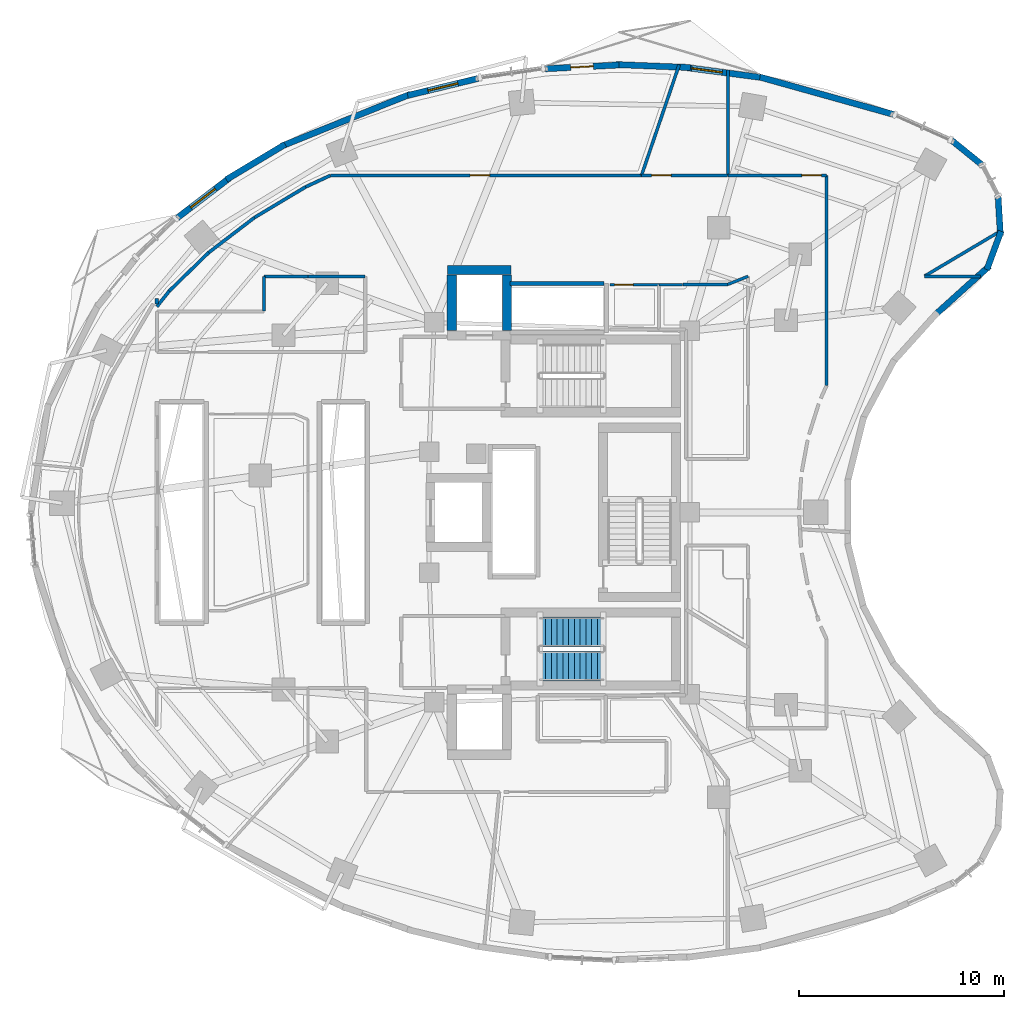
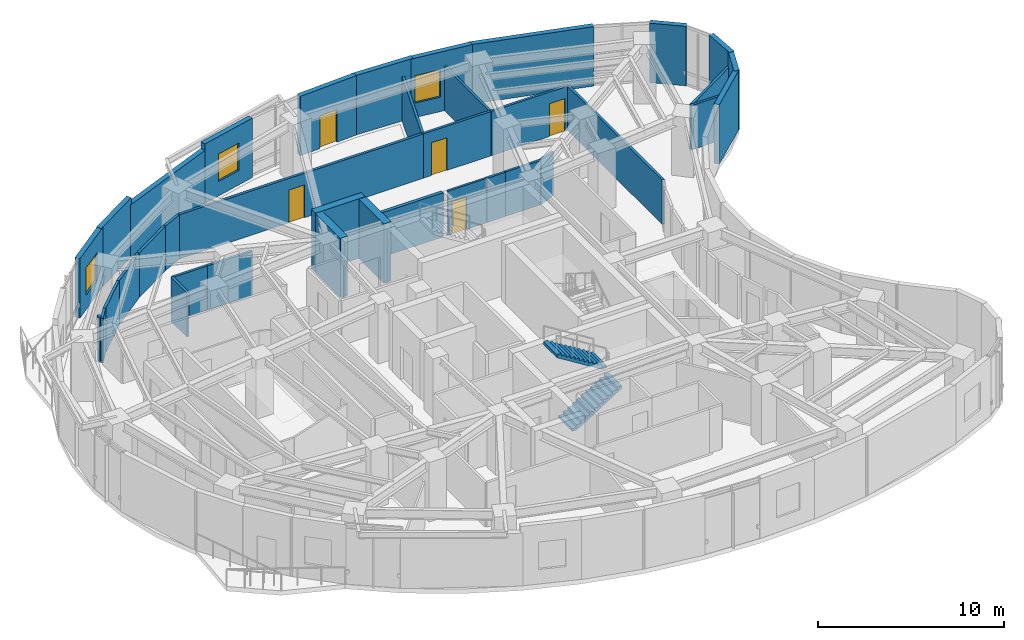
# One storey, part 11 of 15: 37 walls, 5 doors, 3 windows, 2 stair flights, 8 openings, 1 element without a shape of its own.
"""IFC4 building model written with IfcOpenShell, lengths in metres."""

import ifcopenshell
import ifcopenshell.guid

model = None  # the IFC model being written
_history = None  # IfcOwnerHistory: only IFC2X3 demands one
_inside = {}  # id of a spatial element -> (the spatial element, [elements in it])
_under = {}  # id of a project, library or spatial element -> (it, [spatial elements below it])
_declared = {}  # id of a project -> (the project, [libraries it declares])
_typed = {}  # id of a type object -> (the type object, [elements of that type])
_made_of = {}  # id of a material, layer set ... -> (it, [elements and type objects made of it])


def new_model(schema):
    """Start an empty IFC model of exactly this schema.

    Asked for "IFC4X3", IfcOpenShell would pick the latest addendum, in which some entities
    have other attributes; the version numbers below select the first issue.
    IFC2X3 requires an IfcOwnerHistory on every rooted entity: one is made here for all.
    """
    global model, _history
    if schema == "IFC4X3":
        model = ifcopenshell.file(schema_version=(4, 3, 0, 0))
    else:
        model = ifcopenshell.file(schema=schema)
    _inside.clear()
    _under.clear()
    _declared.clear()
    _typed.clear()
    _made_of.clear()
    _history = None
    if model.schema == "IFC2X3":
        org = make("IfcOrganization", Name="unknown")
        user = make(
            "IfcPersonAndOrganization",
            ThePerson=make("IfcPerson", FamilyName="unknown"),
            TheOrganization=org,
        )
        app = make(
            "IfcApplication",
            ApplicationDeveloper=org,
            Version="unknown",
            ApplicationFullName="unknown",
            ApplicationIdentifier="unknown",
        )
        _history = make(
            "IfcOwnerHistory",
            OwningUser=user,
            OwningApplication=app,
            ChangeAction="ADDED",
            CreationDate=0,
        )
    return model


def make(cls, **values):
    """One entity of the class cls with the attributes given. An attribute that is None is left unset."""
    return model.create_entity(
        cls, **{name: value for name, value in values.items() if value is not None}
    )


def rooted(cls, **values):
    """An entity with a GlobalId (a new one), such as an element, a storey or a relation."""
    return make(cls, GlobalId=ifcopenshell.guid.new(), OwnerHistory=_history, **values)


def si_unit(unit_type, name, prefix=None):
    """IfcSIUnit, for example si_unit("LENGTHUNIT", "METRE", prefix="MILLI")."""
    return make("IfcSIUnit", UnitType=unit_type, Prefix=prefix, Name=name)


def assignment(units):
    """IfcUnitAssignment: the units of a project."""
    return None if units is None else make("IfcUnitAssignment", Units=units)


def point(xyz):
    """IfcCartesianPoint."""
    return None if xyz is None else make("IfcCartesianPoint", Coordinates=xyz)


def direction(xyz):
    """IfcDirection."""
    return None if xyz is None else make("IfcDirection", DirectionRatios=xyz)


def frame(location, z_axis=None, x_axis=None):
    """IfcAxis2Placement3D, a coordinate frame: its origin and axes. An axis left out is left unset."""
    return make(
        "IfcAxis2Placement3D",
        Location=point(location),
        Axis=direction(z_axis),
        RefDirection=direction(x_axis),
    )


def frame_2d(location, x_axis=None):
    """IfcAxis2Placement2D, a coordinate frame in the plane: its origin and x axis."""
    return make(
        "IfcAxis2Placement2D", Location=point(location), RefDirection=direction(x_axis)
    )


def origin():
    """The frame at (0, 0, 0) with its axes left unset."""
    return frame((0.0, 0.0, 0.0))


def place(relative_to, where):
    """IfcLocalPlacement: puts the frame where relative to a parent placement (None: the world)."""
    return make(
        "IfcLocalPlacement", PlacementRelTo=relative_to, RelativePlacement=where
    )


def context(
    kind, dimensions, precision=None, world=None, true_north=None, identifier=None
):
    """IfcGeometricRepresentationContext, for example the 3D "Model" context."""
    return make(
        "IfcGeometricRepresentationContext",
        ContextIdentifier=identifier,
        ContextType=kind,
        CoordinateSpaceDimension=dimensions,
        Precision=precision,
        WorldCoordinateSystem=world,
        TrueNorth=true_north,
    )


def subcontext(parent, identifier, kind, view, scale=None):
    """IfcGeometricRepresentationSubContext, for example "Body" below "Model"."""
    return make(
        "IfcGeometricRepresentationSubContext",
        ContextIdentifier=identifier,
        ContextType=kind,
        ParentContext=parent,
        TargetScale=scale,
        TargetView=view,
    )


def project(units=None, contexts=None):
    """IfcProject with its units and contexts."""
    return rooted(
        "IfcProject",
        Name="project",
        RepresentationContexts=contexts,
        UnitsInContext=assignment(units),
    )


def spatial(cls, under=None, at=None, **own):
    """A site, building, storey or space (cls), placed at a placement, below another one or the project."""
    s = rooted(cls, ObjectPlacement=at, **own)
    if under is not None:
        _under.setdefault(under.id(), (under, []))[1].append(s)
    return s


def polyline(points):
    """IfcPolyline through the points."""
    return make("IfcPolyline", Points=[point(p) for p in points])


def profile(cls, at=None, kind="AREA", **sizes):
    """A parametric profile (cls). Its sizes go by their IFC names, for example OverallWidth=200.0."""
    return make(cls, ProfileType=kind, Position=at, **sizes)


def rectangle(**sizes):
    """IfcRectangleProfileDef."""
    return profile("IfcRectangleProfileDef", **sizes)


def outline(outer, holes=None, kind="AREA"):
    """IfcArbitraryClosedProfileDef: a profile drawn as a closed curve; with holes, ...WithVoids."""
    if holes is None:
        return make("IfcArbitraryClosedProfileDef", ProfileType=kind, OuterCurve=outer)
    return make(
        "IfcArbitraryProfileDefWithVoids",
        ProfileType=kind,
        OuterCurve=outer,
        InnerCurves=holes,
    )


def extrude(swept, where, along, depth):
    """IfcExtrudedAreaSolid: the profile swept, set in the frame where, extruded along a direction by depth."""
    return make(
        "IfcExtrudedAreaSolid",
        SweptArea=swept,
        Position=where,
        ExtrudedDirection=direction(along),
        Depth=depth,
    )


def shape(context_of_items, identifier, shape_type, items):
    """IfcShapeRepresentation: the items that make up one representation, for example the "Body"."""
    return make(
        "IfcShapeRepresentation",
        ContextOfItems=context_of_items,
        RepresentationIdentifier=identifier,
        RepresentationType=shape_type,
        Items=items,
    )


def material(Name=None, Category=None):
    """IfcMaterial."""
    return make("IfcMaterial", Name=Name, Category=Category)


def layer(
    of_material, thickness, ventilated=None, Name=None, Category=None, Priority=None
):
    """IfcMaterialLayer: one layer of a wall or slab, of a material (None: an air gap)."""
    return make(
        "IfcMaterialLayer",
        Material=of_material,
        LayerThickness=thickness,
        IsVentilated=ventilated,
        Name=Name,
        Category=Category,
        Priority=Priority,
    )


def layer_set(layers, Name=None):
    """IfcMaterialLayerSet."""
    return make("IfcMaterialLayerSet", MaterialLayers=layers, LayerSetName=Name)


def made_of(thing, what):
    """Note that an element or type object is made of a material, layer set ...; save() writes the relation."""
    if what is not None:
        _made_of.setdefault(what.id(), (what, []))[1].append(thing)
    return thing


def type_object(cls, material=None, **own):
    """A type object (cls), such as IfcWallType, which elements share."""
    return made_of(rooted(cls, **own), material)


def element(
    cls,
    number,
    at=None,
    inside=None,
    cuts=None,
    type_object=None,
    material=None,
    context=None,
    identifier="Body",
    shape_type=None,
    held_by="IfcProductDefinitionShape",
    body=None,
    shapes=None,
    **own,
):
    """One element of the class cls, such as IfcWall. Its Tag is "e" and its number.

    at: its placement. inside: the storey or other place that contains it. cuts: it is an
    opening in that element (IfcRelVoidsElement). A single representation is given by context,
    identifier, shape_type and body (its items); several are given by shapes. held_by: the class
    of the entity that holds the representations. save() writes the other relations.
    """
    e = rooted(cls, Tag="e%d" % number, ObjectPlacement=at, **own)
    if body is not None:
        shapes = [shape(context, identifier, shape_type, body)]
    if shapes is not None:
        e.Representation = make(held_by, Representations=shapes)
    if inside is not None:
        _inside.setdefault(inside.id(), (inside, []))[1].append(e)
    if cuts is not None:
        rooted(
            "IfcRelVoidsElement", RelatingBuildingElement=cuts, RelatedOpeningElement=e
        )
    if type_object is not None:
        _typed.setdefault(type_object.id(), (type_object, []))[1].append(e)
    return made_of(e, material)


def fill(opening, filler):
    """IfcRelFillsElement: the door or window that sits in an opening."""
    return rooted(
        "IfcRelFillsElement",
        RelatingOpeningElement=opening,
        RelatedBuildingElement=filler,
    )


def aggregate(whole, parts):
    """IfcRelAggregates: a whole, such as a stair, and the parts it consists of."""
    return rooted("IfcRelAggregates", RelatingObject=whole, RelatedObjects=parts)


def save(model, path):
    """Write the relations noted so far, then the file.

    IfcRelAggregates (storeys below a building ...), IfcRelContainedInSpatialStructure (elements
    in a storey), IfcRelDefinesByType, IfcRelAssociatesMaterial and IfcRelDeclares: one each for
    every whole, place, type object, material and project.
    """
    for whole, parts in _under.values():
        aggregate(whole, parts)
    for where, things in _inside.values():
        rooted(
            "IfcRelContainedInSpatialStructure",
            RelatedElements=things,
            RelatingStructure=where,
        )
    for kind, things in _typed.values():
        rooted("IfcRelDefinesByType", RelatedObjects=things, RelatingType=kind)
    for what, things in _made_of.values():
        rooted("IfcRelAssociatesMaterial", RelatedObjects=things, RelatingMaterial=what)
    for by, libraries in _declared.values():
        rooted("IfcRelDeclares", RelatingContext=by, RelatedDefinitions=libraries)
    model.write(path)


model = new_model("IFC4")

# Units and contexts
model_context = context("Model", 3, precision=1e-05, world=origin(), true_north=direction((0.0, 1.0)))
body_context = subcontext(model_context, "Body", "Model", "MODEL_VIEW")
ifc_project = project(units=[si_unit("LENGTHUNIT", "METRE"), si_unit("AREAUNIT", "SQUARE_METRE"), si_unit("VOLUMEUNIT", "CUBIC_METRE"), si_unit("PLANEANGLEUNIT", "RADIAN"), si_unit("MASSUNIT", "GRAM", prefix="KILO")], contexts=[model_context])

# Site, building, storey
site_placement = place(None, origin())
site = spatial("IfcSite", under=ifc_project, at=site_placement, CompositionType="ELEMENT")
building_placement = place(site_placement, origin())
building = spatial("IfcBuilding", under=site, at=building_placement, Name="Korentha Bioscience Tower", CompositionType="ELEMENT")
storey_placement = place(building_placement, frame((0.0, 0.0, 98.39990234375)))
storey = spatial("IfcBuildingStorey", under=building, at=storey_placement, Name="L22", CompositionType="ELEMENT", Elevation=98.39990234375)

# Wall, opening, door
ifc_material_1 = material(Name="Double-Stud Acoustic Gypsum", Category="gypsum")
ifc_layer_1 = layer(ifc_material_1, 0.14990234375, Name="Double-Stud Acoustic Gypsum")
ifc_layer_set_1 = layer_set([ifc_layer_1], Name="Double-Stud Acoustic Gypsum (IW-L150)")
wall_type_1 = type_object("IfcWallType", Name="Acoustic Laboratory Partition Wall 150", PredefinedType="PARTITIONING", material=ifc_layer_set_1)
wall_1_placement = place(storey_placement, frame((44.199951171875, 43.409912109375, 0.0), z_axis=(0.0, 0.0, 1.0), x_axis=(-1.0, 0.0, 0.0)))
wall_1 = element("IfcWall", 1, at=wall_1_placement, inside=storey, type_object=wall_type_1, Name="L22 Immunology Flow-Cytometry Laboratory 06 Entrance Wall", PredefinedType="PARTITIONING", context=body_context, shape_type="SweptSolid", body=[
    extrude(rectangle(XDim=4.7978515625, YDim=0.14990234375, at=frame_2d((2.39892578125, 0.0))), origin(), (0.0, 0.0, 1.0), 2.91015625),
])
opening_1_placement = place(wall_1_placement, frame((0.239990234375, 0.0, 0.0)))
opening_1 = element("IfcOpeningElement", 2, at=opening_1_placement, cuts=wall_1, Name="Opening ID-10R", PredefinedType="OPENING", context=body_context, shape_type="SweptSolid", body=[
    extrude(rectangle(XDim=0.949951171875, YDim=2.14990234375, at=frame_2d((0.47509765625, 1.074951171875))), frame((0.0, 0.08984375, 0.0), z_axis=(0.0, -1.0, 0.0), x_axis=(1.0, 0.0, 0.0)), (0.0, 0.0, 1.0), 0.1796875),
])
ifc_material_2 = material(Name="Phenolic Laminate Timber Core", Category="wood")
door_type_1 = type_object("IfcDoorType", Name="Laboratory Single Leaf Door 950x2150 Right", OperationType="SINGLE_SWING_RIGHT", PredefinedType="DOOR", material=ifc_material_2)
door_1_placement = place(opening_1_placement, origin())
door_1 = element("IfcDoor", 3, at=door_1_placement, inside=storey, type_object=door_type_1, Name="L22 Immunology Flow-Cytometry Laboratory 06 Door", OperationType="SINGLE_SWING_RIGHT", OverallHeight=2.14990234375, OverallWidth=0.949951171875, PredefinedType="DOOR", context=body_context, shape_type="SweptSolid", body=[
    extrude(rectangle(XDim=0.949951171875, YDim=2.14990234375, at=frame_2d((0.47509765625, 1.074951171875))), frame((0.0, 0.02490234375, 0.0), z_axis=(0.0, -1.0, 0.0), x_axis=(1.0, 0.0, 0.0)), (0.0, 0.0, 1.0), 0.050048828125),
])
fill(opening_1, door_1)

wall_2_placement = place(storey_placement, frame((39.39208984375, 43.409912109375, 0.0), z_axis=(0.0, 0.0, 1.0), x_axis=(-1.0, 0.0, 0.0)))
wall_2 = element("IfcWall", 4, at=wall_2_placement, inside=storey, type_object=wall_type_1, Name="L22 Lyophilization Freeze-Drying Room 08 Entrance Wall", PredefinedType="PARTITIONING", context=body_context, shape_type="SweptSolid", body=[
    extrude(rectangle(XDim=4.19580078125, YDim=0.14990234375, at=frame_2d((2.097900390625, 0.0))), origin(), (0.0, 0.0, 1.0), 2.91015625),
])
opening_2_placement = place(wall_2_placement, frame((2.747802734375, 0.0, 0.0)))
opening_2 = element("IfcOpeningElement", 5, at=opening_2_placement, cuts=wall_2, Name="Opening ID-10R", PredefinedType="OPENING", context=body_context, shape_type="SweptSolid", body=[
    extrude(rectangle(XDim=0.949951171875, YDim=2.14990234375, at=frame_2d((0.47509765625, 1.074951171875))), frame((0.0, 0.08984375, 0.0), z_axis=(0.0, -1.0, 0.0), x_axis=(1.0, 0.0, 0.0)), (0.0, 0.0, 1.0), 0.1796875),
])
door_2_placement = place(opening_2_placement, origin())
door_2 = element("IfcDoor", 6, at=door_2_placement, inside=storey, type_object=door_type_1, Name="L22 Lyophilization Freeze-Drying Room 08 Door", OperationType="SINGLE_SWING_RIGHT", OverallHeight=2.14990234375, OverallWidth=0.949951171875, PredefinedType="DOOR", context=body_context, shape_type="SweptSolid", body=[
    extrude(rectangle(XDim=0.949951171875, YDim=2.14990234375, at=frame_2d((0.47509765625, 1.074951171875))), frame((0.0, 0.02490234375, 0.0), z_axis=(0.0, -1.0, 0.0), x_axis=(1.0, 0.0, 0.0)), (0.0, 0.0, 1.0), 0.050048828125),
])
fill(opening_2, door_2)

# Walls
wall_3_placement = place(storey_placement, frame((52.748779296875, 40.74267578125, 0.0), z_axis=(0.0, 0.0, 1.0), x_axis=(-0.85982416837, -0.510590246173, 0.0)))
element("IfcWall", 7, at=wall_3_placement, inside=storey, type_object=wall_type_1, Name="L22 Interior Partition 054", PredefinedType="PARTITIONING", context=body_context, shape_type="SweptSolid", body=[
    extrude(rectangle(XDim=4.3818359375, YDim=0.14990234375, at=frame_2d((2.19091796875, 0.0))), origin(), (0.0, 0.0, 1.0), 2.91015625),
])
wall_4_placement = place(storey_placement, frame((48.983154296875, 38.498046875, 0.0), z_axis=(0.0, 0.0, 1.0), x_axis=(1.0, 0.0, 0.0)))
element("IfcWall", 8, at=wall_4_placement, inside=storey, type_object=wall_type_1, Name="L22 Interior Partition 055", PredefinedType="PARTITIONING", context=body_context, shape_type="SweptSolid", body=[
    extrude(rectangle(XDim=2.718505859375, YDim=0.14990234375, at=frame_2d((1.359375, 0.0))), origin(), (0.0, 0.0, 1.0), 2.91015625),
])
wall_5_placement = place(storey_placement, frame((44.2099609375, 33.175048828125, 0.0), z_axis=(0.0, 0.0, 1.0), x_axis=(0.0, 1.0, 0.0)))
element("IfcWall", 9, at=wall_5_placement, inside=storey, type_object=wall_type_1, Name="L22 Interior Partition 061", PredefinedType="PARTITIONING", context=body_context, shape_type="SweptSolid", body=[
    extrude(rectangle(XDim=10.224853515625, YDim=0.14990234375, at=frame_2d((5.1123046875, 0.0))), origin(), (0.0, 0.0, 1.0), 2.91015625),
])
wall_6_placement = place(storey_placement, frame((39.402099609375, 43.409912109375, 0.0), z_axis=(0.0, 0.0, 1.0), x_axis=(0.0, 1.0, 0.0)))
element("IfcWall", 10, at=wall_6_placement, inside=storey, type_object=wall_type_1, Name="L22 Interior Partition 062", PredefinedType="PARTITIONING", context=body_context, shape_type="SweptSolid", body=[
    extrude(rectangle(XDim=5.12548828125, YDim=0.14990234375, at=frame_2d((2.562744140625, 0.0))), origin(), (0.0, 0.0, 1.0), 2.91015625),
])
wall_7_placement = place(storey_placement, frame((35.1962890625, 43.409912109375, 0.0), z_axis=(0.0, 0.0, 1.0), x_axis=(0.322244983046, 0.946656310866, 0.0)))
element("IfcWall", 11, at=wall_7_placement, inside=storey, type_object=wall_type_1, Name="L22 Interior Partition 071", PredefinedType="PARTITIONING", context=body_context, shape_type="SweptSolid", body=[
    extrude(rectangle(XDim=5.6904296875, YDim=0.14990234375, at=frame_2d((2.84521484375, 0.0))), origin(), (0.0, 0.0, 1.0), 2.91015625),
])
wall_8_placement = place(storey_placement, frame((18.9521484375, 38.498046875, 0.0), z_axis=(0.0, 0.0, 1.0), x_axis=(1.0, 0.0, 0.0)))
element("IfcWall", 12, at=wall_8_placement, inside=storey, type_object=wall_type_1, Name="L22 Interior Partition 081", PredefinedType="PARTITIONING", context=body_context, shape_type="SweptSolid", body=[
    extrude(rectangle(XDim=2.787841796875, YDim=0.14990234375, at=frame_2d((1.39404296875, 0.0))), origin(), (0.0, 0.0, 1.0), 2.91015625),
])
wall_9_placement = place(storey_placement, frame((16.81005859375, 36.800048828125, 0.0), z_axis=(0.0, 0.0, 1.0), x_axis=(0.0, 1.0, 0.0)))
element("IfcWall", 13, at=wall_9_placement, inside=storey, type_object=wall_type_1, Name="L22 Interior Partition 085", PredefinedType="PARTITIONING", context=body_context, shape_type="SweptSolid", body=[
    extrude(rectangle(XDim=1.697998046875, YDim=0.14990234375, at=frame_2d((0.84912109375, 0.0))), origin(), (0.0, 0.0, 1.0), 2.91015625),
])
wall_10_placement = place(storey_placement, frame((16.81005859375, 38.498046875, 0.0), z_axis=(0.0, 0.0, 1.0), x_axis=(1.0, 0.0, 0.0)))
element("IfcWall", 14, at=wall_10_placement, inside=storey, type_object=wall_type_1, Name="L22 Interior Partition 086", PredefinedType="PARTITIONING", context=body_context, shape_type="SweptSolid", body=[
    extrude(rectangle(XDim=2.137939453125, YDim=0.14990234375, at=frame_2d((1.06884765625, 0.0))), origin(), (0.0, 0.0, 1.0), 2.91015625),
])
ifc_material_3 = material(Name="Insulated Aluminium Honeycomb Panel", Category="aluminium")
ifc_layer_2 = layer(ifc_material_3, 0.139892578125, Name="Insulated Aluminium Honeycomb Panel")
ifc_layer_set_2 = layer_set([ifc_layer_2], Name="Insulated Aluminium Honeycomb Panel (IW-F60)")
wall_type_2 = type_object("IfcWallType", Name="Cleanroom Flush Metal Panel Partition 140", PredefinedType="PARTITIONING", material=ifc_layer_set_2)
wall_11_placement = place(storey_placement, frame((39.39794921875, 38.10009765625, 0.0), z_axis=(0.0, 0.0, 1.0), x_axis=(0.928098124006, 0.372335698284, 0.0)))
element("IfcWall", 15, at=wall_11_placement, inside=storey, type_object=wall_type_2, Name="L22 Interior Partition 063", PredefinedType="PARTITIONING", context=body_context, shape_type="SweptSolid", body=[
    extrude(rectangle(XDim=1.06884765625, YDim=0.139892578125, at=frame_2d((0.534423828125, 0.0))), origin(), (0.0, 0.0, 1.0), 2.91015625),
])
wall_12_placement = place(storey_placement, frame((36.06005859375, 38.090087890625, 0.0), z_axis=(0.0, 0.0, 1.0), x_axis=(1.0, 0.0, 0.0)))
element("IfcWall", 16, at=wall_12_placement, inside=storey, type_object=wall_type_2, Name="L22 Interior Partition 068", PredefinedType="PARTITIONING", context=body_context, shape_type="SweptSolid", body=[
    extrude(rectangle(XDim=1.139892578125, YDim=0.139892578125, at=frame_2d((0.56982421875, 0.0))), origin(), (0.0, 0.0, 1.0), 2.91015625),
])
wall_13_placement = place(storey_placement, frame((37.2099609375, 38.10009765625, 0.0), z_axis=(0.0, 0.0, 1.0), x_axis=(1.0, 0.0, 0.0)))
element("IfcWall", 17, at=wall_13_placement, inside=storey, type_object=wall_type_2, Name="L22 Interior Partition 070", PredefinedType="PARTITIONING", context=body_context, shape_type="SweptSolid", body=[
    extrude(rectangle(XDim=2.18798828125, YDim=0.139892578125, at=frame_2d((1.093994140625, 0.0))), origin(), (0.0, 0.0, 1.0), 2.91015625),
])

# Wall, opening, door
ifc_material_4 = material(Name="Gypsum-Clad Steel Stud", Category="steel")
ifc_layer_3 = layer(ifc_material_4, 0.159912109375, Name="Gypsum-Clad Steel Stud")
ifc_layer_set_3 = layer_set([ifc_layer_3], Name="Gypsum-Clad Steel Stud (IW-C160)")
wall_type_3 = type_object("IfcWallType", Name="Fire-Rated Corridor Partition Wall 160", PredefinedType="PARTITIONING", material=ifc_layer_set_3)
wall_14_placement = place(storey_placement, frame((35.186279296875, 43.409912109375, 0.0), z_axis=(0.0, 0.0, 1.0), x_axis=(-1.0, 0.0, 0.0)))
wall_14 = element("IfcWall", 18, at=wall_14_placement, inside=storey, type_object=wall_type_3, Name="L22 Cold-Chain Stability Chamber 09 Entrance Wall", PredefinedType="PARTITIONING", context=body_context, shape_type="SweptSolid", body=[
    extrude(rectangle(XDim=15.143798828125, YDim=0.159912109375, at=frame_2d((7.57177734375, 0.0))), origin(), (0.0, 0.0, 1.0), 2.91015625),
])
opening_3_placement = place(wall_14_placement, frame((7.38671875, 0.0, 0.0)))
opening_3 = element("IfcOpeningElement", 19, at=opening_3_placement, cuts=wall_14, Name="Opening ID-10L", PredefinedType="OPENING", context=body_context, shape_type="SweptSolid", body=[
    extrude(rectangle(XDim=0.949951171875, YDim=2.14990234375, at=frame_2d((0.47509765625, 1.074951171875))), frame((0.0, 0.0947265625, 0.0), z_axis=(0.0, -1.0, 0.0), x_axis=(1.0, 0.0, 0.0)), (0.0, 0.0, 1.0), 0.189697265625),
])
door_type_2 = type_object("IfcDoorType", Name="Laboratory Single Leaf Door 950x2150 Left", OperationType="SINGLE_SWING_LEFT", PredefinedType="DOOR", material=ifc_material_2)
door_3_placement = place(opening_3_placement, origin())
door_3 = element("IfcDoor", 20, at=door_3_placement, inside=storey, type_object=door_type_2, Name="L22 Cold-Chain Stability Chamber 09 Door", OperationType="SINGLE_SWING_LEFT", OverallHeight=2.14990234375, OverallWidth=0.949951171875, PredefinedType="DOOR", context=body_context, shape_type="SweptSolid", body=[
    extrude(rectangle(XDim=0.949951171875, YDim=2.14990234375, at=frame_2d((0.47509765625, 1.074951171875))), frame((0.0, 0.02490234375, 0.0), z_axis=(0.0, -1.0, 0.0), x_axis=(1.0, 0.0, 0.0)), (0.0, 0.0, 1.0), 0.050048828125),
])
fill(opening_3, door_3)

# Walls
wall_15_placement = place(storey_placement, frame((20.038330078125, 43.4091796875, 0.0), z_axis=(0.0, 0.0, 1.0), x_axis=(-0.907124862852, -0.420861596248, 0.0)))
element("IfcWall", 21, at=wall_15_placement, inside=storey, type_object=wall_type_3, Name="L22 Interior Partition 072", PredefinedType="PARTITIONING", context=body_context, shape_type="SweptSolid", body=[
    extrude(rectangle(XDim=1.321533203125, YDim=0.159912109375, at=frame_2d((0.66064453125, 0.0))), origin(), (0.0, 0.0, 1.0), 2.91015625),
])
wall_16_placement = place(storey_placement, frame((18.838623046875, 42.8525390625, 0.0), z_axis=(0.0, 0.0, 1.0), x_axis=(-0.857603806023, -0.514310909757, 0.0)))
element("IfcWall", 22, at=wall_16_placement, inside=storey, type_object=wall_type_3, Name="L22 Interior Partition 073", PredefinedType="PARTITIONING", context=body_context, shape_type="SweptSolid", body=[
    extrude(rectangle(XDim=2.91357421875, YDim=0.159912109375, at=frame_2d((1.456787109375, 0.0))), origin(), (0.0, 0.0, 1.0), 2.91015625),
])
wall_17_placement = place(storey_placement, frame((16.3388671875, 41.353515625, 0.0), z_axis=(0.0, 0.0, 1.0), x_axis=(-0.794513779695, -0.607246122981, 0.0)))
element("IfcWall", 23, at=wall_17_placement, inside=storey, type_object=wall_type_3, Name="L22 Interior Partition 074", PredefinedType="PARTITIONING", context=body_context, shape_type="SweptSolid", body=[
    extrude(rectangle(XDim=2.799072265625, YDim=0.159912109375, at=frame_2d((1.3994140625, 0.0))), origin(), (0.0, 0.0, 1.0), 2.91015625),
])
wall_18_placement = place(storey_placement, frame((14.1142578125, 39.65283203125, 0.0), z_axis=(0.0, 0.0, 1.0), x_axis=(-0.716161838398, -0.697934252794, 0.0)))
element("IfcWall", 24, at=wall_18_placement, inside=storey, type_object=wall_type_3, Name="L22 Interior Partition 075", PredefinedType="PARTITIONING", context=body_context, shape_type="SweptSolid", body=[
    extrude(rectangle(XDim=2.6787109375, YDim=0.159912109375, at=frame_2d((1.33935546875, 0.0))), origin(), (0.0, 0.0, 1.0), 2.91015625),
])
wall_19_placement = place(storey_placement, frame((12.195068359375, 37.781982421875, 0.0), z_axis=(0.0, 0.0, 1.0), x_axis=(-0.621081637991, -0.783745876513, 0.0)))
element("IfcWall", 25, at=wall_19_placement, inside=storey, type_object=wall_type_3, Name="L22 Interior Partition 076", PredefinedType="PARTITIONING", context=body_context, shape_type="SweptSolid", body=[
    extrude(rectangle(XDim=0.97412109375, YDim=0.159912109375, at=frame_2d((0.487060546875, 0.0))), origin(), (0.0, 0.0, 1.0), 2.91015625),
])
wall_20_placement = place(storey_placement, frame((11.590087890625, 37.152099609375, 0.0), z_axis=(0.0, 0.0, 1.0), x_axis=(0.0, 1.0, 0.0)))
element("IfcWall", 26, at=wall_20_placement, inside=storey, type_object=wall_type_3, Name="L22 Interior Partition 077", PredefinedType="PARTITIONING", context=body_context, shape_type="SweptSolid", body=[
    extrude(rectangle(XDim=0.255859375, YDim=0.159912109375, at=frame_2d((0.1279296875, 0.0))), origin(), (0.0, 0.0, 1.0), 2.91015625),
])

# Wall, opening, window
ifc_material_5 = material(Name="Honed Limestone Precast Concrete C40", Category="masonry")
ifc_layer_4 = layer(ifc_material_5, 0.300048828125, Name="Honed Limestone Precast Concrete C40")
ifc_layer_set_4 = layer_set([ifc_layer_4], Name="Honed Limestone Precast Concrete C40 (EW-ST300)")
wall_type_4 = type_object("IfcWallType", Name="Honed Limestone Cavity Spandrel Wall 300", PredefinedType="STANDARD", material=ifc_layer_set_4)
wall_21_placement = place(storey_placement, frame((40.964111328125, 48.18994140625, 0.0), z_axis=(0.0, 0.0, 1.0), x_axis=(-0.991369257822, 0.131099178664, 0.0)))
wall_21 = element("IfcWall", 27, at=wall_21_placement, inside=storey, type_object=wall_type_4, Name="L22 Honed Limestone Spandrel Wall 04", PredefinedType="STANDARD", context=body_context, shape_type="SweptSolid", body=[
    extrude(rectangle(XDim=3.575439453125, YDim=0.300048828125, at=frame_2d((1.78759765625, 0.0))), origin(), (0.0, 0.0, 1.0), 3.900146484375),
])
opening_4_placement = place(wall_21_placement, frame((1.84814453125, 0.0, 0.949951171875)))
opening_4 = element("IfcOpeningElement", 28, at=opening_4_placement, cuts=wall_21, Name="Opening WN-02", PredefinedType="OPENING", context=body_context, shape_type="SweptSolid", body=[
    extrude(rectangle(XDim=1.5, YDim=1.800048828125, at=frame_2d((0.75, 0.89990234375))), frame((0.0, 0.1650390625, 0.0), z_axis=(0.0, -1.0, 0.0), x_axis=(1.0, 0.0, 0.0)), (0.0, 0.0, 1.0), 0.329833984375),
])
ifc_material_6 = material(Name="Thermally Broken Aluminium Triple Glazing", Category="aluminium")
window_type = type_object("IfcWindowType", Name="Acoustic Operable Office Window 1500x1800", PartitioningType="DOUBLE_PANEL_VERTICAL", PredefinedType="WINDOW", material=ifc_material_6)
window_1_placement = place(opening_4_placement, origin())
window_1 = element("IfcWindow", 29, at=window_1_placement, inside=storey, type_object=window_type, Name="L22 Facade Window 04", OverallHeight=1.800048828125, OverallWidth=1.5, PartitioningType="DOUBLE_PANEL_VERTICAL", PredefinedType="WINDOW", context=body_context, shape_type="SweptSolid", body=[
    extrude(rectangle(XDim=1.5, YDim=1.800048828125, at=frame_2d((0.75, 0.89990234375))), frame((0.0, 0.030029296875, 0.0), z_axis=(0.0, -1.0, 0.0), x_axis=(1.0, 0.0, 0.0)), (0.0, 0.0, 1.0), 0.06005859375),
])
fill(opening_4, window_1)

# Wall, opening, door
wall_22_placement = place(storey_placement, frame((34.095703125, 48.79052734375, 0.0), z_axis=(0.0, 0.0, 1.0), x_axis=(-0.998676861232, -0.051424963197, 0.0)))
wall_22 = element("IfcWall", 30, at=wall_22_placement, inside=storey, type_object=wall_type_4, Name="L22 Balcony Threshold Wall 01", PredefinedType="STANDARD", context=body_context, shape_type="SweptSolid", body=[
    extrude(rectangle(XDim=3.59375, YDim=0.300048828125, at=frame_2d((1.796875, 0.0))), origin(), (0.0, 0.0, 1.0), 3.900146484375),
])
opening_5_placement = place(wall_22_placement, frame((1.246826171875, 0.0, 0.0)))
opening_5 = element("IfcOpeningElement", 31, at=opening_5_placement, cuts=wall_22, Name="Opening BD-11L", PredefinedType="OPENING", context=body_context, shape_type="SweptSolid", body=[
    extrude(rectangle(XDim=1.10009765625, YDim=2.14990234375, at=frame_2d((0.550048828125, 1.074951171875))), frame((0.0, 0.1650390625, 0.0), z_axis=(0.0, -1.0, 0.0), x_axis=(1.0, 0.0, 0.0)), (0.0, 0.0, 1.0), 0.329833984375),
])
ifc_material_7 = material(Name="Thermally Broken Glazed Aluminium", Category="aluminium")
door_type_3 = type_object("IfcDoorType", Name="Balcony Terrace Glazed Door 1100x2150 Left", OperationType="SINGLE_SWING_LEFT", PredefinedType="DOOR", material=ifc_material_7)
door_4_placement = place(opening_5_placement, origin())
door_4 = element("IfcDoor", 32, at=door_4_placement, inside=storey, type_object=door_type_3, Name="L22 Balcony Access Door 01", OperationType="SINGLE_SWING_LEFT", OverallHeight=2.14990234375, OverallWidth=1.10009765625, PredefinedType="DOOR", context=body_context, shape_type="SweptSolid", body=[
    extrude(rectangle(XDim=1.10009765625, YDim=2.14990234375, at=frame_2d((0.550048828125, 1.074951171875))), frame((0.0, 0.02490234375, 0.0), z_axis=(0.0, -1.0, 0.0), x_axis=(1.0, 0.0, 0.0)), (0.0, 0.0, 1.0), 0.050048828125),
])
fill(opening_5, door_4)

# Wall, opening, window
wall_23_placement = place(storey_placement, frame((27.23828125, 48.1337890625, 0.0), z_axis=(0.0, 0.0, 1.0), x_axis=(-0.972049000874, -0.234778065203, 0.0)))
wall_23 = element("IfcWall", 33, at=wall_23_placement, inside=storey, type_object=wall_type_4, Name="L22 Honed Limestone Spandrel Wall 08", PredefinedType="STANDARD", context=body_context, shape_type="SweptSolid", body=[
    extrude(rectangle(XDim=3.5283203125, YDim=0.300048828125, at=frame_2d((1.76416015625, 0.0))), origin(), (0.0, 0.0, 1.0), 3.900146484375),
])
opening_6_placement = place(wall_23_placement, frame((1.014404296875, 0.0, 0.949951171875)))
opening_6 = element("IfcOpeningElement", 34, at=opening_6_placement, cuts=wall_23, Name="Opening WN-02", PredefinedType="OPENING", context=body_context, shape_type="SweptSolid", body=[
    extrude(rectangle(XDim=1.5, YDim=1.800048828125, at=frame_2d((0.75, 0.89990234375))), frame((0.0, 0.1650390625, 0.0), z_axis=(0.0, -1.0, 0.0), x_axis=(1.0, 0.0, 0.0)), (0.0, 0.0, 1.0), 0.329833984375),
])
window_2_placement = place(opening_6_placement, origin())
window_2 = element("IfcWindow", 35, at=window_2_placement, inside=storey, type_object=window_type, Name="L22 Facade Window 08", OverallHeight=1.800048828125, OverallWidth=1.5, PartitioningType="DOUBLE_PANEL_VERTICAL", PredefinedType="WINDOW", context=body_context, shape_type="SweptSolid", body=[
    extrude(rectangle(XDim=1.5, YDim=1.800048828125, at=frame_2d((0.75, 0.89990234375))), frame((0.0, 0.030029296875, 0.0), z_axis=(0.0, -1.0, 0.0), x_axis=(1.0, 0.0, 0.0)), (0.0, 0.0, 1.0), 0.06005859375),
])
fill(opening_6, window_2)

wall_24_placement = place(storey_placement, frame((15.1171875, 43.276611328125, 0.0), z_axis=(0.0, 0.0, 1.0), x_axis=(-0.794524406211, -0.607232219119, 0.0)))
wall_24 = element("IfcWall", 36, at=wall_24_placement, inside=storey, type_object=wall_type_4, Name="L22 Honed Limestone Spandrel Wall 12", PredefinedType="STANDARD", context=body_context, shape_type="SweptSolid", body=[
    extrude(rectangle(XDim=3.202880859375, YDim=0.300048828125, at=frame_2d((1.6015625, 0.0))), origin(), (0.0, 0.0, 1.0), 3.900146484375),
])
opening_7_placement = place(wall_24_placement, frame((0.851318359375, 0.0, 0.949951171875)))
opening_7 = element("IfcOpeningElement", 37, at=opening_7_placement, cuts=wall_24, Name="Opening WN-02", PredefinedType="OPENING", context=body_context, shape_type="SweptSolid", body=[
    extrude(rectangle(XDim=1.5, YDim=1.800048828125, at=frame_2d((0.75, 0.89990234375))), frame((0.0, 0.1650390625, 0.0), z_axis=(0.0, -1.0, 0.0), x_axis=(1.0, 0.0, 0.0)), (0.0, 0.0, 1.0), 0.329833984375),
])
window_3_placement = place(opening_7_placement, origin())
window_3 = element("IfcWindow", 38, at=window_3_placement, inside=storey, type_object=window_type, Name="L22 Facade Window 12", OverallHeight=1.800048828125, OverallWidth=1.5, PartitioningType="DOUBLE_PANEL_VERTICAL", PredefinedType="WINDOW", context=body_context, shape_type="SweptSolid", body=[
    extrude(rectangle(XDim=1.5, YDim=1.800048828125, at=frame_2d((0.75, 0.89990234375))), frame((0.0, 0.030029296875, 0.0), z_axis=(0.0, -1.0, 0.0), x_axis=(1.0, 0.0, 0.0)), (0.0, 0.0, 1.0), 0.06005859375),
])
fill(opening_7, window_3)

# Walls
wall_25_placement = place(storey_placement, frame((47.47900390625, 46.380126953125, 0.0), z_axis=(0.0, 0.0, 1.0), x_axis=(-0.963116215402, 0.269085777459, 0.0)))
element("IfcWall", 39, at=wall_25_placement, inside=storey, type_object=wall_type_4, Name="L22 Limestone Perimeter Closure Wall 02", PredefinedType="STANDARD", context=body_context, shape_type="SweptSolid", body=[
    extrude(rectangle(XDim=6.923583984375, YDim=0.300048828125, at=frame_2d((3.4619140625, 0.0))), origin(), (0.0, 0.0, 1.0), 3.900146484375),
])
wall_26_placement = place(storey_placement, frame((37.574462890625, 48.666259765625, 0.0), z_axis=(0.0, 0.0, 1.0), x_axis=(-0.999212076676, 0.039689114679, 0.0)))
element("IfcWall", 40, at=wall_26_placement, inside=storey, type_object=wall_type_4, Name="L22 Limestone Perimeter Closure Wall 05", PredefinedType="STANDARD", context=body_context, shape_type="SweptSolid", body=[
    extrude(rectangle(XDim=3.635498046875, YDim=0.300048828125, at=frame_2d((1.81787109375, 0.0))), origin(), (0.0, 0.0, 1.0), 3.900146484375),
])
wall_27_placement = place(storey_placement, frame((23.955810546875, 47.375, 0.0), z_axis=(0.0, 0.0, 1.0), x_axis=(-0.927423312416, -0.374013368194, 0.0)))
element("IfcWall", 41, at=wall_27_placement, inside=storey, type_object=wall_type_4, Name="L22 Limestone Perimeter Closure Wall 09", PredefinedType="STANDARD", context=body_context, shape_type="SweptSolid", body=[
    extrude(rectangle(XDim=6.76904296875, YDim=0.300048828125, at=frame_2d((3.384521484375, 0.0))), origin(), (0.0, 0.0, 1.0), 3.47021484375),
])
wall_28_placement = place(storey_placement, frame((17.84033203125, 44.92431640625, 0.0), z_axis=(0.0, 0.0, 1.0), x_axis=(-0.857602536704, -0.514313026316, 0.0)))
element("IfcWall", 42, at=wall_28_placement, inside=storey, type_object=wall_type_4, Name="L22 Limestone Perimeter Closure Wall 11", PredefinedType="STANDARD", context=body_context, shape_type="SweptSolid", body=[
    extrude(rectangle(XDim=3.34033203125, YDim=0.300048828125, at=frame_2d((1.670166015625, 0.0))), origin(), (0.0, 0.0, 1.0), 3.900146484375),
])
wall_29_placement = place(storey_placement, frame((49.51318359375, 36.6357421875, 0.0), z_axis=(0.0, 0.0, 1.0), x_axis=(0.74255963233, 0.669779958221, 0.0)))
element("IfcWall", 43, at=wall_29_placement, inside=storey, type_object=wall_type_4, Name="L22 Limestone Perimeter Closure Wall 57", PredefinedType="STANDARD", context=body_context, shape_type="SweptSolid", body=[
    extrude(rectangle(XDim=3.5390625, YDim=0.300048828125, at=frame_2d((1.76953125, 0.0))), origin(), (0.0, 0.0, 1.0), 3.900146484375),
])
wall_30_placement = place(storey_placement, frame((52.016357421875, 38.822265625, 0.0), z_axis=(0.0, 0.0, 1.0), x_axis=(0.347370087337, 0.937728117539, 0.0)))
element("IfcWall", 44, at=wall_30_placement, inside=storey, type_object=wall_type_4, Name="L22 Limestone Perimeter Closure Wall 59", PredefinedType="STANDARD", context=body_context, shape_type="SweptSolid", body=[
    extrude(rectangle(XDim=1.997314453125, YDim=0.300048828125, at=frame_2d((0.99853515625, 0.0))), origin(), (0.0, 0.0, 1.0), 3.900146484375),
])
for number, where, z_axis, x_axis, name in (
    (45, (52.678955078125, 40.4833984375, 0.0), (0.0, 0.0, 1.0), (-0.060255200356, 0.998183004679, 0.0), "L22 Limestone Perimeter Closure Wall 60"),
    (46, (51.83642578125, 43.880615234375, 0.0), (0.0, 0.0, 1.0), (-0.777338789647, 0.629082193445, 0.0), "L22 Limestone Perimeter Closure Wall 62"),
):
    element("IfcWall", number, at=place(storey_placement, frame(where, z_axis=z_axis, x_axis=x_axis)), inside=storey, type_object=wall_type_4, Name=name, PredefinedType="STANDARD", context=body_context, shape_type="SweptSolid", body=[
        extrude(rectangle(XDim=1.99755859375, YDim=0.300048828125, at=frame_2d((0.998779296875, 0.0))), origin(), (0.0, 0.0, 1.0), 3.900146484375),
    ])
ifc_material_8 = material(Name="Autoclaved Aerated Concrete Block C25", Category="concrete")
ifc_layer_5 = layer(ifc_material_8, 0.199951171875, Name="Autoclaved Aerated Concrete Block C25")
ifc_layer_set_5 = layer_set([ifc_layer_5], Name="Autoclaved Aerated Concrete Block C25 (IW-S200)")
wall_type_5 = type_object("IfcWallType", Name="Lift and Riser Shaft Enclosure Wall 200", PredefinedType="PARTITIONING", material=ifc_layer_set_5)
wall_31_placement = place(storey_placement, frame((28.800048828125, 38.139892578125, 0.0), z_axis=(0.0, 0.0, 1.0), x_axis=(1.0, 0.0, 0.0)))
element("IfcWall", 47, at=wall_31_placement, inside=storey, type_object=wall_type_5, Name="L22 Lift Bank OBS Shaft Wall +Y", PredefinedType="PARTITIONING", context=body_context, shape_type="SweptSolid", body=[
    extrude(rectangle(XDim=4.570068359375, YDim=0.199951171875, at=frame_2d((2.28515625, 0.0))), origin(), (0.0, 0.0, 1.0), 2.91015625),
])
ifc_material_9 = material(Name="Concrete C80", Category="concrete")
ifc_layer_6 = layer(ifc_material_9, 0.449951171875, Name="Concrete C80")
ifc_layer_set_6 = layer_set([ifc_layer_6], Name="Concrete C80 (CW-C80)")
wall_type_6 = type_object("IfcWallType", Name="Lower Core Shear Wall 450", PredefinedType="SHEAR", material=ifc_layer_set_6)
wall_32_placement = place(storey_placement, frame((25.75, 38.800048828125, 0.0), z_axis=(0.0, 0.0, 1.0), x_axis=(1.0, 0.0, 0.0)))
element("IfcWall", 48, at=wall_32_placement, inside=storey, type_object=wall_type_6, Name="L22 Core Shear Wall FFL2-N", PredefinedType="SHEAR", context=body_context, shape_type="SweptSolid", body=[
    extrude(rectangle(XDim=3.10009765625, YDim=0.449951171875, at=frame_2d((1.550048828125, 0.0))), origin(), (0.0, 0.0, 1.0), 3.900146484375),
])
for number, where, z_axis, x_axis, name in (
    (49, (25.949951171875, 35.860107421875, 0.0), (0.0, 0.0, 1.0), (0.0, 1.0, 0.0), "L22 Core Shear Wall FFL2-W"),
    (50, (28.64990234375, 35.860107421875, 0.0), (0.0, 0.0, 1.0), (0.0, 1.0, 0.0), "L22 Core Shear Wall FFL2-E"),
):
    element("IfcWall", number, at=place(storey_placement, frame(where, z_axis=z_axis, x_axis=x_axis)), inside=storey, type_object=wall_type_6, Name=name, PredefinedType="SHEAR", context=body_context, shape_type="SweptSolid", body=[
        extrude(rectangle(XDim=2.699951171875, YDim=0.449951171875, at=frame_2d((1.35009765625, 0.0))), origin(), (0.0, 0.0, 1.0), 3.900146484375),
    ])

# Wall, opening, door
ifc_material_10 = material(Name="Cement-Board Steel Stud", Category="steel")
ifc_layer_7 = layer(ifc_material_10, 0.1298828125, Name="Cement-Board Steel Stud")
ifc_layer_set_7 = layer_set([ifc_layer_7], Name="Cement-Board Steel Stud (IW-W130)")
wall_type_7 = type_object("IfcWallType", Name="Wet-Area Moisture-Resistant Partition 130", PredefinedType="PARTITIONING", material=ifc_layer_set_7)
wall_33_placement = place(storey_placement, frame((33.64990234375, 38.090087890625, 0.0), z_axis=(0.0, 0.0, 1.0), x_axis=(1.0, 0.0, 0.0)))
wall_33 = element("IfcWall", 51, at=wall_33_placement, inside=storey, type_object=wall_type_7, Name="L22 Accessible Staff WC Entrance Wall", PredefinedType="PARTITIONING", context=body_context, shape_type="SweptSolid", body=[
    extrude(rectangle(XDim=2.400146484375, YDim=0.1298828125, at=frame_2d((1.2001953125, 0.0))), origin(), (0.0, 0.0, 1.0), 2.91015625),
])
opening_8_placement = place(wall_33_placement, frame((0.239990234375, 0.0, 0.0)))
opening_8 = element("IfcOpeningElement", 52, at=opening_8_placement, cuts=wall_33, Name="Opening ID-09R", PredefinedType="OPENING", context=body_context, shape_type="SweptSolid", body=[
    extrude(rectangle(XDim=0.89990234375, YDim=2.14990234375, at=frame_2d((0.449951171875, 1.074951171875))), frame((0.0, 0.079833984375, 0.0), z_axis=(0.0, -1.0, 0.0), x_axis=(1.0, 0.0, 0.0)), (0.0, 0.0, 1.0), 0.15966796875),
])
ifc_material_11 = material(Name="Moisture-Resistant HPL Leaf", Category="wood")
door_type_4 = type_object("IfcDoorType", Name="Restroom & Accessible WC Door 900x2150 Right", OperationType="SINGLE_SWING_RIGHT", PredefinedType="DOOR", material=ifc_material_11)
door_5_placement = place(opening_8_placement, origin())
door_5 = element("IfcDoor", 53, at=door_5_placement, inside=storey, type_object=door_type_4, Name="L22 Accessible Staff WC Door", OperationType="SINGLE_SWING_RIGHT", OverallHeight=2.14990234375, OverallWidth=0.89990234375, PredefinedType="DOOR", context=body_context, shape_type="SweptSolid", body=[
    extrude(rectangle(XDim=0.89990234375, YDim=2.14990234375, at=frame_2d((0.449951171875, 1.074951171875))), frame((0.0, 0.02490234375, 0.0), z_axis=(0.0, -1.0, 0.0), x_axis=(1.0, 0.0, 0.0)), (0.0, 0.0, 1.0), 0.050048828125),
])
fill(opening_8, door_5)

# Stair, stair flights
ifc_material_12 = material(Name="Precast Concrete C50", Category="concrete")
stair_type = type_object("IfcStairType", Name="Core Exit Dog-Leg Stair 1450", PredefinedType="HALF_TURN_STAIR", material=ifc_material_12)
stair_placement = place(storey_placement, origin())
stair = element("IfcStair", 54, at=stair_placement, inside=storey, type_object=stair_type, Name="L22 Tower South Pressurized Exit Stair ST-2", PredefinedType="HALF_TURN_STAIR")
stair_flight_type = type_object("IfcStairFlightType", Name="Core Exit Dog-Leg Stair 1450 Flight", PredefinedType="STRAIGHT", material=ifc_material_12)
stair_flight_1_placement = place(storey_placement, frame((30.25, 19.52490234375, 0.0), z_axis=(0.0, 0.0, 1.0), x_axis=(1.0, 0.0, 0.0)))
stair_flight_1 = element("IfcStairFlight", 55, at=stair_flight_1_placement, type_object=stair_flight_type, Name="ST-2 flight 1", NumberOfRisers=12, NumberOfTreads=11, PredefinedType="STRAIGHT", RiserHeight=0.175, TreadLength=0.28, context=body_context, shape_type="SweptSolid", body=[
    extrude(outline(polyline([(0.0, 0.0), (0.0, 0.175048828125), (0.280029296875, 0.175048828125), (0.280029296875, 0.35009765625), (0.56005859375, 0.35009765625), (0.56005859375, 0.52490234375), (0.840087890625, 0.52490234375), (0.840087890625, 0.699951171875), (1.1201171875, 0.699951171875), (1.1201171875, 0.875), (1.39990234375, 0.875), (1.39990234375, 1.050048828125), (1.679931640625, 1.050048828125), (1.679931640625, 1.22509765625), (1.9599609375, 1.22509765625), (1.9599609375, 1.39990234375), (2.239990234375, 1.39990234375), (2.239990234375, 1.574951171875), (2.52001953125, 1.574951171875), (2.52001953125, 1.75), (2.800048828125, 1.75), (2.800048828125, 1.925048828125), (3.080078125, 1.925048828125), (3.080078125, 2.10009765625), (3.080078125, 1.736328125), (0.3017578125, 0.0), (0.0, 0.0)])), frame((0.0, 0.72509765625, 0.0), z_axis=(0.0, -1.0, 0.0), x_axis=(1.0, 0.0, 0.0)), (0.0, 0.0, 1.0), 1.449951171875),
])
stair_flight_2_placement = place(storey_placement, frame((33.330078125, 21.175048828125, 2.10009765625), z_axis=(0.0, 0.0, 1.0), x_axis=(-1.0, 0.0, 0.0)))
stair_flight_2 = element("IfcStairFlight", 56, at=stair_flight_2_placement, type_object=stair_flight_type, Name="ST-2 flight 2", NumberOfRisers=12, NumberOfTreads=11, PredefinedType="STRAIGHT", RiserHeight=0.175, TreadLength=0.28, context=body_context, shape_type="SweptSolid", body=[
    extrude(outline(polyline([(0.0, 0.0), (0.0, 0.175048828125), (0.280029296875, 0.175048828125), (0.280029296875, 0.35009765625), (0.56005859375, 0.35009765625), (0.56005859375, 0.52490234375), (0.840087890625, 0.52490234375), (0.840087890625, 0.699951171875), (1.1201171875, 0.699951171875), (1.1201171875, 0.875), (1.39990234375, 0.875), (1.39990234375, 1.050048828125), (1.679931640625, 1.050048828125), (1.679931640625, 1.22509765625), (1.9599609375, 1.22509765625), (1.9599609375, 1.39990234375), (2.239990234375, 1.39990234375), (2.239990234375, 1.574951171875), (2.52001953125, 1.574951171875), (2.52001953125, 1.75), (2.800048828125, 1.75), (2.800048828125, 1.925048828125), (3.080078125, 1.925048828125), (3.080078125, 2.10009765625), (3.080078125, 1.736328125), (0.3017578125, 0.0), (0.0, 0.0)])), frame((0.0, 0.72509765625, 0.0), z_axis=(0.0, -1.0, 0.0), x_axis=(1.0, 0.0, 0.0)), (0.0, 0.0, 1.0), 1.449951171875),
])
aggregate(stair, [stair_flight_1, stair_flight_2])

save(model, "model.ifc")
